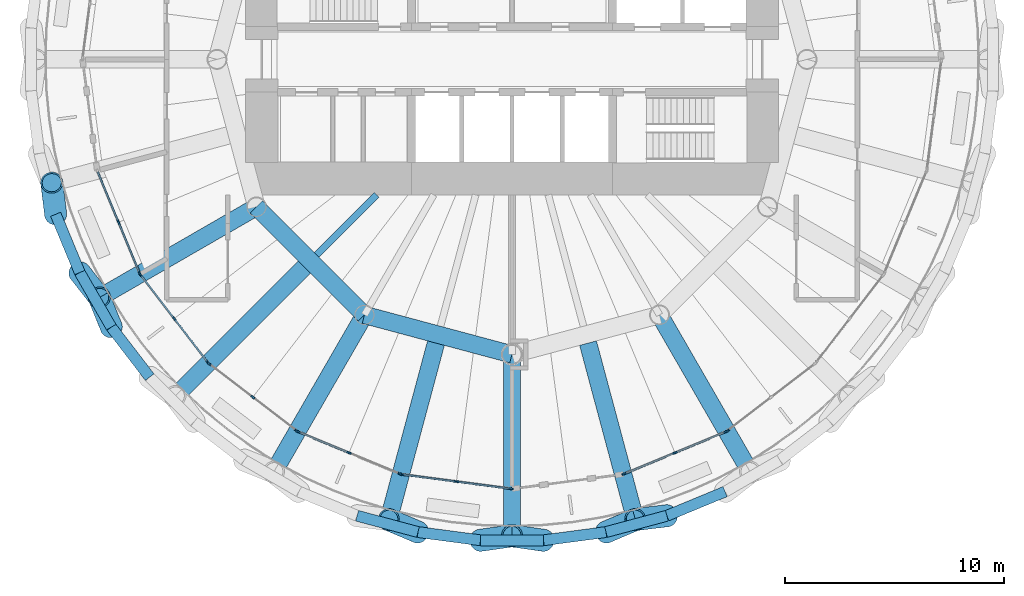
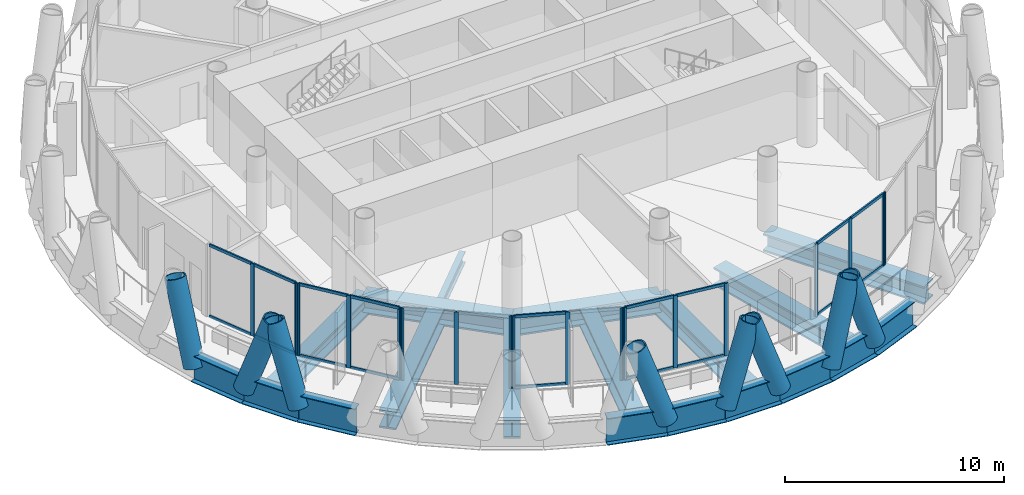
# One storey, part 2 of 15: 44 members, 19 beams, 7 elements without a shape of their own.
"""IFC4 building model written with IfcOpenShell, lengths in metres."""

from ifc_helpers import new_model, si_unit, direction, frame, origin, origin_2d, place, context, subcontext, project, spatial, rectangle, hollow_circle, i_section, extrude, material, material_profile, profile_set, type_object, element, aggregate, save


model = new_model("IFC4")

# Units and contexts
model_context = context("Model", 3, precision=1e-05, world=origin(), true_north=direction((0.0, 1.0)))
body_context = subcontext(model_context, "Body", "Model", "MODEL_VIEW")
ifc_project = project(units=[si_unit("LENGTHUNIT", "METRE"), si_unit("AREAUNIT", "SQUARE_METRE"), si_unit("VOLUMEUNIT", "CUBIC_METRE"), si_unit("PLANEANGLEUNIT", "RADIAN"), si_unit("MASSUNIT", "GRAM", prefix="KILO")], contexts=[model_context])

# Site, building, storey
site_placement = place(None, origin())
site = spatial("IfcSite", under=ifc_project, at=site_placement, CompositionType="ELEMENT")
building_placement = place(site_placement, origin())
building = spatial("IfcBuilding", under=site, at=building_placement, Name="Qaws Media Tower", CompositionType="ELEMENT")
storey_placement = place(building_placement, frame((0.0, 0.0, 257.0)))
storey = spatial("IfcBuildingStorey", under=building, at=storey_placement, Name="L59", CompositionType="ELEMENT", Elevation=257.0)

# Curtain wall, members
ifc_material_1 = material(Name="Aluminium and clear glass", Category="aluminium")
curtain_wall_type = type_object("IfcCurtainWallType", Name="Unitised curtain wall CW-C", PredefinedType="NOTDEFINED", material=ifc_material_1)
curtain_wall_1_placement = place(storey_placement, origin())
curtain_wall_1 = element("IfcCurtainWall", 1, at=curtain_wall_1_placement, inside=storey, type_object=curtain_wall_type, Name="CWC curtain wall L59-14", PredefinedType="NOTDEFINED")
ifc_material_2 = material(Name="Aluminium mullion", Category="aluminium")
ifc_material_profile_1 = material_profile(ifc_material_2, rectangle(XDim=0.080078125, YDim=0.199951171875, at=origin_2d()), Name="80x200")
ifc_profile_set_1 = profile_set([ifc_material_profile_1], Name="Aluminium mullion")
member_type_1 = type_object("IfcMemberType", Name="Curtain wall mullion 80x200", PredefinedType="MULLION", material=ifc_profile_set_1)
member_1_placement = place(storey_placement, frame((42.0009765625, 42.544677734375, 0.0), z_axis=(0.0, 0.0, 1.0), x_axis=(0.923879560089, 0.382683365786, 0.0)))
member_1 = element("IfcMember", 2, at=member_1_placement, type_object=member_type_1, Name="CWC mullion 2", PredefinedType="MULLION", context=body_context, shape_type="SweptSolid", body=[
    extrude(rectangle(XDim=0.080078125, YDim=0.199951171875, at=origin_2d()), origin(), (0.0, 0.0, 1.0), 4.0400390625),
])
member_2_placement = place(storey_placement, frame((42.96728515625, 40.2119140625, 0.0), z_axis=(0.0, 0.0, 1.0), x_axis=(0.923879560089, 0.382683365786, 0.0)))
member_2 = element("IfcMember", 3, at=member_2_placement, type_object=member_type_1, Name="CWC mullion 3", PredefinedType="MULLION", context=body_context, shape_type="SweptSolid", body=[
    extrude(rectangle(XDim=0.080078125, YDim=0.199951171875, at=origin_2d()), origin(), (0.0, 0.0, 1.0), 4.0400390625),
])

curtain_wall_2_placement = place(storey_placement, origin())
curtain_wall_2 = element("IfcCurtainWall", 4, at=curtain_wall_2_placement, inside=storey, type_object=curtain_wall_type, Name="CWC curtain wall L59-15", PredefinedType="NOTDEFINED")
member_3_placement = place(storey_placement, frame((43.0068359375, 40.143310546875, 0.0), z_axis=(0.0, 0.0, 1.0), x_axis=(0.793353316003, 0.608761460662, 0.0)))
member_3 = element("IfcMember", 5, at=member_3_placement, type_object=member_type_1, Name="CWC mullion 1", PredefinedType="MULLION", context=body_context, shape_type="SweptSolid", body=[
    extrude(rectangle(XDim=0.080078125, YDim=0.199951171875, at=origin_2d()), origin(), (0.0, 0.0, 1.0), 4.0400390625),
])
member_4_placement = place(storey_placement, frame((44.5439453125, 38.14013671875, 0.0), z_axis=(0.0, 0.0, 1.0), x_axis=(0.793353316003, 0.608761460662, 0.0)))
member_4 = element("IfcMember", 6, at=member_4_placement, type_object=member_type_1, Name="CWC mullion 2", PredefinedType="MULLION", context=body_context, shape_type="SweptSolid", body=[
    extrude(rectangle(XDim=0.080078125, YDim=0.199951171875, at=origin_2d()), origin(), (0.0, 0.0, 1.0), 4.0400390625),
])
member_5_placement = place(storey_placement, frame((46.0810546875, 36.13720703125, 0.0), z_axis=(0.0, 0.0, 1.0), x_axis=(0.793353316003, 0.608761460662, 0.0)))
member_5 = element("IfcMember", 7, at=member_5_placement, type_object=member_type_1, Name="CWC mullion 3", PredefinedType="MULLION", context=body_context, shape_type="SweptSolid", body=[
    extrude(rectangle(XDim=0.080078125, YDim=0.199951171875, at=origin_2d()), origin(), (0.0, 0.0, 1.0), 4.0400390625),
])

curtain_wall_3_placement = place(storey_placement, origin())
curtain_wall_3 = element("IfcCurtainWall", 8, at=curtain_wall_3_placement, inside=storey, type_object=curtain_wall_type, Name="CWC curtain wall L59-16", PredefinedType="NOTDEFINED")
member_6_placement = place(storey_placement, frame((46.13720703125, 36.0810546875, 0.0), z_axis=(0.0, 0.0, 1.0), x_axis=(0.608761460662, 0.793353316003, 0.0)))
member_6 = element("IfcMember", 9, at=member_6_placement, type_object=member_type_1, Name="CWC mullion 1", PredefinedType="MULLION", context=body_context, shape_type="SweptSolid", body=[
    extrude(rectangle(XDim=0.080078125, YDim=0.199951171875, at=origin_2d()), origin(), (0.0, 0.0, 1.0), 4.0400390625),
])
member_7_placement = place(storey_placement, frame((48.14013671875, 34.5439453125, 0.0), z_axis=(0.0, 0.0, 1.0), x_axis=(0.608761460662, 0.793353316003, 0.0)))
member_7 = element("IfcMember", 10, at=member_7_placement, type_object=member_type_1, Name="CWC mullion 2", PredefinedType="MULLION", context=body_context, shape_type="SweptSolid", body=[
    extrude(rectangle(XDim=0.080078125, YDim=0.199951171875, at=origin_2d()), origin(), (0.0, 0.0, 1.0), 4.0400390625),
])
member_8_placement = place(storey_placement, frame((50.143310546875, 33.0068359375, 0.0), z_axis=(0.0, 0.0, 1.0), x_axis=(0.608761460662, 0.793353316003, 0.0)))
member_8 = element("IfcMember", 11, at=member_8_placement, type_object=member_type_1, Name="CWC mullion 3", PredefinedType="MULLION", context=body_context, shape_type="SweptSolid", body=[
    extrude(rectangle(XDim=0.080078125, YDim=0.199951171875, at=origin_2d()), origin(), (0.0, 0.0, 1.0), 4.0400390625),
])
aggregate(curtain_wall_3, [member_6, member_7, member_8])

curtain_wall_4_placement = place(storey_placement, origin())
curtain_wall_4 = element("IfcCurtainWall", 12, at=curtain_wall_4_placement, inside=storey, type_object=curtain_wall_type, Name="CWC curtain wall L59-17", PredefinedType="NOTDEFINED")
member_9_placement = place(storey_placement, frame((50.2119140625, 32.96728515625, 0.0), z_axis=(0.0, 0.0, 1.0), x_axis=(0.382683365786, 0.923879560089, 0.0)))
member_9 = element("IfcMember", 13, at=member_9_placement, type_object=member_type_1, Name="CWC mullion 1", PredefinedType="MULLION", context=body_context, shape_type="SweptSolid", body=[
    extrude(rectangle(XDim=0.080078125, YDim=0.199951171875, at=origin_2d()), origin(), (0.0, 0.0, 1.0), 4.0400390625),
])
member_10_placement = place(storey_placement, frame((52.544677734375, 32.0009765625, 0.0), z_axis=(0.0, 0.0, 1.0), x_axis=(0.382683365786, 0.923879560089, 0.0)))
member_10 = element("IfcMember", 14, at=member_10_placement, type_object=member_type_1, Name="CWC mullion 2", PredefinedType="MULLION", context=body_context, shape_type="SweptSolid", body=[
    extrude(rectangle(XDim=0.080078125, YDim=0.199951171875, at=origin_2d()), origin(), (0.0, 0.0, 1.0), 4.0400390625),
])
member_11_placement = place(storey_placement, frame((54.877197265625, 31.034912109375, 0.0), z_axis=(0.0, 0.0, 1.0), x_axis=(0.382683365786, 0.923879560089, 0.0)))
member_11 = element("IfcMember", 15, at=member_11_placement, type_object=member_type_1, Name="CWC mullion 3", PredefinedType="MULLION", context=body_context, shape_type="SweptSolid", body=[
    extrude(rectangle(XDim=0.080078125, YDim=0.199951171875, at=origin_2d()), origin(), (0.0, 0.0, 1.0), 4.0400390625),
])

curtain_wall_5_placement = place(storey_placement, origin())
curtain_wall_5 = element("IfcCurtainWall", 16, at=curtain_wall_5_placement, inside=storey, type_object=curtain_wall_type, Name="CWC curtain wall L59-18", PredefinedType="NOTDEFINED")
member_12_placement = place(storey_placement, frame((54.953857421875, 31.014404296875, 0.0), z_axis=(0.0, 0.0, 1.0), x_axis=(0.130526291424, 0.991444848313, 0.0)))
member_12 = element("IfcMember", 17, at=member_12_placement, type_object=member_type_1, Name="CWC mullion 1", PredefinedType="MULLION", context=body_context, shape_type="SweptSolid", body=[
    extrude(rectangle(XDim=0.080078125, YDim=0.199951171875, at=origin_2d()), origin(), (0.0, 0.0, 1.0), 4.0400390625),
])
member_13_placement = place(storey_placement, frame((57.45703125, 30.684814453125, 0.0), z_axis=(0.0, 0.0, 1.0), x_axis=(0.130526291424, 0.991444848313, 0.0)))
member_13 = element("IfcMember", 18, at=member_13_placement, type_object=member_type_1, Name="CWC mullion 2", PredefinedType="MULLION", context=body_context, shape_type="SweptSolid", body=[
    extrude(rectangle(XDim=0.080078125, YDim=0.199951171875, at=origin_2d()), origin(), (0.0, 0.0, 1.0), 4.0400390625),
])
member_14_placement = place(storey_placement, frame((59.96044921875, 30.355224609375, 0.0), z_axis=(0.0, 0.0, 1.0), x_axis=(0.130526291424, 0.991444848313, 0.0)))
member_14 = element("IfcMember", 19, at=member_14_placement, type_object=member_type_1, Name="CWC mullion 3", PredefinedType="MULLION", context=body_context, shape_type="SweptSolid", body=[
    extrude(rectangle(XDim=0.080078125, YDim=0.199951171875, at=origin_2d()), origin(), (0.0, 0.0, 1.0), 4.0400390625),
])

curtain_wall_6_placement = place(storey_placement, origin())
curtain_wall_6 = element("IfcCurtainWall", 20, at=curtain_wall_6_placement, inside=storey, type_object=curtain_wall_type, Name="CWC curtain wall L59-20", PredefinedType="NOTDEFINED")
member_15_placement = place(storey_placement, frame((65.122802734375, 31.034912109375, 0.0), z_axis=(0.0, 0.0, 1.0), x_axis=(-0.382683365786, 0.923879560089, 0.0)))
member_15 = element("IfcMember", 21, at=member_15_placement, type_object=member_type_1, Name="CWC mullion 1", PredefinedType="MULLION", context=body_context, shape_type="SweptSolid", body=[
    extrude(rectangle(XDim=0.080078125, YDim=0.199951171875, at=origin_2d()), origin(), (0.0, 0.0, 1.0), 4.0400390625),
])
member_16_placement = place(storey_placement, frame((67.455322265625, 32.0009765625, 0.0), z_axis=(0.0, 0.0, 1.0), x_axis=(-0.382683365786, 0.923879560089, 0.0)))
member_16 = element("IfcMember", 22, at=member_16_placement, type_object=member_type_1, Name="CWC mullion 2", PredefinedType="MULLION", context=body_context, shape_type="SweptSolid", body=[
    extrude(rectangle(XDim=0.080078125, YDim=0.199951171875, at=origin_2d()), origin(), (0.0, 0.0, 1.0), 4.0400390625),
])
member_17_placement = place(storey_placement, frame((69.7880859375, 32.96728515625, 0.0), z_axis=(0.0, 0.0, 1.0), x_axis=(-0.382683365786, 0.923879560089, 0.0)))
member_17 = element("IfcMember", 23, at=member_17_placement, type_object=member_type_1, Name="CWC mullion 3", PredefinedType="MULLION", context=body_context, shape_type="SweptSolid", body=[
    extrude(rectangle(XDim=0.080078125, YDim=0.199951171875, at=origin_2d()), origin(), (0.0, 0.0, 1.0), 4.0400390625),
])

# Curtain wall, member
curtain_wall_7_placement = place(storey_placement, origin())
curtain_wall_7 = element("IfcCurtainWall", 24, at=curtain_wall_7_placement, inside=storey, type_object=curtain_wall_type, Name="CWC curtain wall L59-21", PredefinedType="NOTDEFINED")
member_18_placement = place(storey_placement, frame((69.856689453125, 33.0068359375, 0.0), z_axis=(0.0, 0.0, 1.0), x_axis=(-0.608761460662, 0.793353316003, 0.0)))
member_18 = element("IfcMember", 25, at=member_18_placement, type_object=member_type_1, Name="CWC mullion 1", PredefinedType="MULLION", context=body_context, shape_type="SweptSolid", body=[
    extrude(rectangle(XDim=0.080078125, YDim=0.199951171875, at=origin_2d()), origin(), (0.0, 0.0, 1.0), 4.0400390625),
])
aggregate(curtain_wall_7, [member_18])

# Member
ifc_material_3 = material(Name="Aluminium transom", Category="aluminium")
ifc_material_profile_2 = material_profile(ifc_material_3, rectangle(XDim=0.080078125, YDim=0.159912109375, at=origin_2d()), Name="80x160")
ifc_profile_set_2 = profile_set([ifc_material_profile_2], Name="Aluminium transom")
member_type_2 = type_object("IfcMemberType", Name="Curtain wall transom 80x160", PredefinedType="USERDEFINED", material=ifc_profile_set_2)
member_19_placement = place(storey_placement, frame((41.05029296875, 44.84033203125, 0.0400390625), z_axis=(0.382657531231, -0.923890260687, 0.0), x_axis=(0.923890260687, 0.382657531231, 0.0)))
member_19 = element("IfcMember", 26, at=member_19_placement, type_object=member_type_2, Name="CWC transom 1.1", ObjectType="TRANSOM", PredefinedType="USERDEFINED", context=body_context, shape_type="SweptSolid", body=[
    extrude(rectangle(XDim=0.080078125, YDim=0.159912109375, at=origin_2d()), origin(), (0.0, 0.0, 1.0), 2.44482421875),
])

member_20_placement = place(storey_placement, frame((41.05029296875, 44.84033203125, 4.0), z_axis=(0.382657531231, -0.923890260687, 0.0), x_axis=(0.923890260687, 0.382657531231, 0.0)))
member_20 = element("IfcMember", 27, at=member_20_placement, type_object=member_type_2, Name="CWC transom 1.2", ObjectType="TRANSOM", PredefinedType="USERDEFINED", context=body_context, shape_type="SweptSolid", body=[
    extrude(rectangle(XDim=0.080078125, YDim=0.159912109375, at=origin_2d()), origin(), (0.0, 0.0, 1.0), 2.44482421875),
])

member_21_placement = place(storey_placement, frame((42.016357421875, 42.507568359375, 0.0400390625), z_axis=(0.382692837519, -0.923875636713, 0.0), x_axis=(0.923875636713, 0.382692837519, 0.0)))
member_21 = element("IfcMember", 28, at=member_21_placement, type_object=member_type_2, Name="CWC transom 2.1", ObjectType="TRANSOM", PredefinedType="USERDEFINED", context=body_context, shape_type="SweptSolid", body=[
    extrude(rectangle(XDim=0.080078125, YDim=0.159912109375, at=origin_2d()), origin(), (0.0, 0.0, 1.0), 2.444580078125),
])

member_22_placement = place(storey_placement, frame((42.016357421875, 42.507568359375, 4.0), z_axis=(0.382692837519, -0.923875636713, 0.0), x_axis=(0.923875636713, 0.382692837519, 0.0)))
member_22 = element("IfcMember", 29, at=member_22_placement, type_object=member_type_2, Name="CWC transom 2.2", ObjectType="TRANSOM", PredefinedType="USERDEFINED", context=body_context, shape_type="SweptSolid", body=[
    extrude(rectangle(XDim=0.080078125, YDim=0.159912109375, at=origin_2d()), origin(), (0.0, 0.0, 1.0), 2.444580078125),
])

aggregate(curtain_wall_1, [member_1, member_2, member_19, member_20, member_21, member_22])

member_23_placement = place(storey_placement, frame((43.03125, 40.111572265625, 0.0400390625), z_axis=(0.608735475995, -0.793373254065, 0.0), x_axis=(0.793373254065, 0.608735475995, 0.0)))
member_23 = element("IfcMember", 30, at=member_23_placement, type_object=member_type_2, Name="CWC transom 1.1", ObjectType="TRANSOM", PredefinedType="USERDEFINED", context=body_context, shape_type="SweptSolid", body=[
    extrude(rectangle(XDim=0.080078125, YDim=0.159912109375, at=origin_2d()), origin(), (0.0, 0.0, 1.0), 2.44482421875),
])

member_24_placement = place(storey_placement, frame((43.03125, 40.111572265625, 4.0), z_axis=(0.608735475995, -0.793373254065, 0.0), x_axis=(0.793373254065, 0.608735475995, 0.0)))
member_24 = element("IfcMember", 31, at=member_24_placement, type_object=member_type_2, Name="CWC transom 1.2", ObjectType="TRANSOM", PredefinedType="USERDEFINED", context=body_context, shape_type="SweptSolid", body=[
    extrude(rectangle(XDim=0.080078125, YDim=0.159912109375, at=origin_2d()), origin(), (0.0, 0.0, 1.0), 2.44482421875),
])

member_25_placement = place(storey_placement, frame((44.568359375, 38.1083984375, 0.0400390625), z_axis=(0.608735475995, -0.793373254065, 0.0), x_axis=(0.793373254065, 0.608735475995, 0.0)))
member_25 = element("IfcMember", 32, at=member_25_placement, type_object=member_type_2, Name="CWC transom 2.1", ObjectType="TRANSOM", PredefinedType="USERDEFINED", context=body_context, shape_type="SweptSolid", body=[
    extrude(rectangle(XDim=0.080078125, YDim=0.159912109375, at=origin_2d()), origin(), (0.0, 0.0, 1.0), 2.44482421875),
])

member_26_placement = place(storey_placement, frame((44.568359375, 38.1083984375, 4.0), z_axis=(0.608735475995, -0.793373254065, 0.0), x_axis=(0.793373254065, 0.608735475995, 0.0)))
member_26 = element("IfcMember", 33, at=member_26_placement, type_object=member_type_2, Name="CWC transom 2.2", ObjectType="TRANSOM", PredefinedType="USERDEFINED", context=body_context, shape_type="SweptSolid", body=[
    extrude(rectangle(XDim=0.080078125, YDim=0.159912109375, at=origin_2d()), origin(), (0.0, 0.0, 1.0), 2.44482421875),
])

aggregate(curtain_wall_2, [member_3, member_4, member_5, member_23, member_24, member_25, member_26])

member_27_placement = place(storey_placement, frame((50.2490234375, 32.951904296875, 0.0400390625), z_axis=(0.923875636713, -0.382692837519, 0.0), x_axis=(0.382692837519, 0.923875636713, 0.0)))
member_27 = element("IfcMember", 34, at=member_27_placement, type_object=member_type_2, Name="CWC transom 1.1", ObjectType="TRANSOM", PredefinedType="USERDEFINED", context=body_context, shape_type="SweptSolid", body=[
    extrude(rectangle(XDim=0.080078125, YDim=0.159912109375, at=origin_2d()), origin(), (0.0, 0.0, 1.0), 2.444580078125),
])

member_28_placement = place(storey_placement, frame((50.2490234375, 32.951904296875, 4.0), z_axis=(0.923875636713, -0.382692837519, 0.0), x_axis=(0.382692837519, 0.923875636713, 0.0)))
member_28 = element("IfcMember", 35, at=member_28_placement, type_object=member_type_2, Name="CWC transom 1.2", ObjectType="TRANSOM", PredefinedType="USERDEFINED", context=body_context, shape_type="SweptSolid", body=[
    extrude(rectangle(XDim=0.080078125, YDim=0.159912109375, at=origin_2d()), origin(), (0.0, 0.0, 1.0), 2.444580078125),
])

aggregate(curtain_wall_4, [member_9, member_10, member_11, member_27, member_28])

member_29_placement = place(storey_placement, frame((54.993408203125, 31.009033203125, 0.0400390625), z_axis=(0.991447156798, -0.130508755558, 0.0), x_axis=(0.130508755558, 0.991447156798, 0.0)))
member_29 = element("IfcMember", 36, at=member_29_placement, type_object=member_type_2, Name="CWC transom 1.1", ObjectType="TRANSOM", PredefinedType="USERDEFINED", context=body_context, shape_type="SweptSolid", body=[
    extrude(rectangle(XDim=0.080078125, YDim=0.159912109375, at=origin_2d()), origin(), (0.0, 0.0, 1.0), 2.445068359375),
])

member_30_placement = place(storey_placement, frame((54.993408203125, 31.009033203125, 4.0), z_axis=(0.991447156798, -0.130508755558, 0.0), x_axis=(0.130508755558, 0.991447156798, 0.0)))
member_30 = element("IfcMember", 37, at=member_30_placement, type_object=member_type_2, Name="CWC transom 1.2", ObjectType="TRANSOM", PredefinedType="USERDEFINED", context=body_context, shape_type="SweptSolid", body=[
    extrude(rectangle(XDim=0.080078125, YDim=0.159912109375, at=origin_2d()), origin(), (0.0, 0.0, 1.0), 2.445068359375),
])

member_31_placement = place(storey_placement, frame((57.496826171875, 30.679443359375, 0.0400390625), z_axis=(0.991445455784, -0.130521677146, 0.0), x_axis=(0.130521677146, 0.991445455784, 0.0)))
member_31 = element("IfcMember", 38, at=member_31_placement, type_object=member_type_2, Name="CWC transom 2.1", ObjectType="TRANSOM", PredefinedType="USERDEFINED", context=body_context, shape_type="SweptSolid", body=[
    extrude(rectangle(XDim=0.080078125, YDim=0.159912109375, at=origin_2d()), origin(), (0.0, 0.0, 1.0), 2.44482421875),
])

member_32_placement = place(storey_placement, frame((57.496826171875, 30.679443359375, 4.0), z_axis=(0.991445455784, -0.130521677146, 0.0), x_axis=(0.130521677146, 0.991445455784, 0.0)))
member_32 = element("IfcMember", 39, at=member_32_placement, type_object=member_type_2, Name="CWC transom 2.2", ObjectType="TRANSOM", PredefinedType="USERDEFINED", context=body_context, shape_type="SweptSolid", body=[
    extrude(rectangle(XDim=0.080078125, YDim=0.159912109375, at=origin_2d()), origin(), (0.0, 0.0, 1.0), 2.44482421875),
])

aggregate(curtain_wall_5, [member_12, member_13, member_14, member_29, member_30, member_31, member_32])

member_33_placement = place(storey_placement, frame((65.15966796875, 31.05029296875, 0.0400390625), z_axis=(0.923890260687, 0.382657531231, 0.0), x_axis=(-0.382657531231, 0.923890260687, 0.0)))
member_33 = element("IfcMember", 40, at=member_33_placement, type_object=member_type_2, Name="CWC transom 1.1", ObjectType="TRANSOM", PredefinedType="USERDEFINED", context=body_context, shape_type="SweptSolid", body=[
    extrude(rectangle(XDim=0.080078125, YDim=0.159912109375, at=origin_2d()), origin(), (0.0, 0.0, 1.0), 2.44482421875),
])

member_34_placement = place(storey_placement, frame((65.15966796875, 31.05029296875, 4.0), z_axis=(0.923890260687, 0.382657531231, 0.0), x_axis=(-0.382657531231, 0.923890260687, 0.0)))
member_34 = element("IfcMember", 41, at=member_34_placement, type_object=member_type_2, Name="CWC transom 1.2", ObjectType="TRANSOM", PredefinedType="USERDEFINED", context=body_context, shape_type="SweptSolid", body=[
    extrude(rectangle(XDim=0.080078125, YDim=0.159912109375, at=origin_2d()), origin(), (0.0, 0.0, 1.0), 2.44482421875),
])

member_35_placement = place(storey_placement, frame((67.492431640625, 32.016357421875, 0.0400390625), z_axis=(0.923875636713, 0.382692837519, 0.0), x_axis=(-0.382692837519, 0.923875636713, 0.0)))
member_35 = element("IfcMember", 42, at=member_35_placement, type_object=member_type_2, Name="CWC transom 2.1", ObjectType="TRANSOM", PredefinedType="USERDEFINED", context=body_context, shape_type="SweptSolid", body=[
    extrude(rectangle(XDim=0.080078125, YDim=0.159912109375, at=origin_2d()), origin(), (0.0, 0.0, 1.0), 2.444580078125),
])

member_36_placement = place(storey_placement, frame((67.492431640625, 32.016357421875, 4.0), z_axis=(0.923875636713, 0.382692837519, 0.0), x_axis=(-0.382692837519, 0.923875636713, 0.0)))
member_36 = element("IfcMember", 43, at=member_36_placement, type_object=member_type_2, Name="CWC transom 2.2", ObjectType="TRANSOM", PredefinedType="USERDEFINED", context=body_context, shape_type="SweptSolid", body=[
    extrude(rectangle(XDim=0.080078125, YDim=0.159912109375, at=origin_2d()), origin(), (0.0, 0.0, 1.0), 2.444580078125),
])

aggregate(curtain_wall_6, [member_15, member_16, member_17, member_33, member_34, member_35, member_36])

# Members
ifc_material_4 = material(Name="Steel S460", Category="steel")
ifc_material_profile_3 = material_profile(ifc_material_4, hollow_circle(Radius=0.508056640625, WallThickness=0.070068359375, at=origin_2d()), Name="CHS 1016x70")
ifc_profile_set_3 = profile_set([ifc_material_profile_3], Name="Steel S460")
member_type_3 = type_object("IfcMemberType", Name="Diagrid member CHS 1016x70", PredefinedType="USERDEFINED", material=ifc_profile_set_3)
for number, where, z_axis, x_axis, name in (
    (44, (40.223876953125, 40.24755859375, -0.909912109375), (0.201726684685, -0.25813106943, 0.94481463562), (0.787932866682, 0.615761153047, 0.0), "DG3 diagrid L59 A14"),
    (45, (39.1201171875, 42.912353515625, -0.909912109375), (-0.039873460202, 0.325138959222, 0.944825255996), (-0.992564081167, -0.121723230224, 0.0), "DG3 diagrid L59 B14"),
    (46, (41.666015625, 37.749755859375, -0.909912109375), (-0.122694309374, 0.30377002021, 0.944812087808), (-0.927222806383, -0.374510169853, 0.0), "DG3 diagrid L59 B15"),
    (47, (58.557861328125, 27.997314453125, -0.909912109375), (0.324421021562, 0.045584805806, 0.944813752148), (-0.139144379056, 0.990272104917, 0.0), "DG3 diagrid L59 A18"),
    (48, (55.6982421875, 28.373779296875, -0.909912109375), (-0.301572290432, 0.128021309233, 0.944809344802), (-0.39076078469, -0.920492264578, 0.0), "DG3 diagrid L59 B18"),
    (49, (64.3017578125, 28.373779296875, -0.909912109375), (0.301572290432, 0.128021309233, 0.944809344802), (-0.39076078469, 0.920492264578, 0.0), "DG3 diagrid L59 A19"),
    (50, (61.442138671875, 27.997314453125, -0.909912109375), (-0.324421021562, 0.045584805806, 0.944813752148), (-0.139144379056, -0.990272104917, 0.0), "DG3 diagrid L59 B19"),
    (51, (67.087646484375, 29.1201171875, -0.909912109375), (-0.325138959222, -0.039873460202, 0.944825255996), (0.121723230224, -0.992564081167, 0.0), "DG3 diagrid L59 B20"),
):
    element("IfcMember", number, at=place(storey_placement, frame(where, z_axis=z_axis, x_axis=x_axis)), inside=storey, type_object=member_type_3, Name=name, ObjectType="DIAGRID", PredefinedType="USERDEFINED", context=body_context, shape_type="SweptSolid", body=[
        extrude(hollow_circle(Radius=0.508056640625, WallThickness=0.070068359375, at=origin_2d()), origin(), (0.0, 0.0, 1.0), 4.4453125),
    ])

# Beams
ifc_material_5 = material(Name="Steel S460", Category="steel")
ifc_material_profile_4 = material_profile(ifc_material_5, i_section(OverallWidth=0.5, OverallDepth=1.5, WebThickness=0.02001953125, FlangeThickness=0.0400390625, at=origin_2d()), Name="PG 1500x500")
ifc_profile_set_4 = profile_set([ifc_material_profile_4], Name="Steel S460")
beam_type_1 = type_object("IfcBeamType", Name="Edge ring beam PG 1500x500", PredefinedType="BEAM", material=ifc_profile_set_4)
for number, where, z_axis, x_axis, name in (
    (52, (39.1201171875, 42.912353515625, -0.909912109375), (0.382673243004, -0.923883753017, 0.0), (0.923883753017, 0.382673243004, 0.0), "RB4 edge ring beam L59-27"),
    (53, (40.223876953125, 40.24755859375, -0.909912109375), (0.500008214683, -0.866020660983, 0.0), (0.866020660983, 0.500008214683, 0.0), "RB4 edge ring beam L59-28"),
    (54, (41.666015625, 37.749755859375, -0.909912109375), (0.608753125597, -0.793359711654, 0.0), (0.793359711654, 0.608753125597, 0.0), "RB4 edge ring beam L59-29"),
):
    element("IfcBeam", number, at=place(storey_placement, frame(where, z_axis=z_axis, x_axis=x_axis)), inside=storey, type_object=beam_type_1, Name=name, PredefinedType="BEAM", context=body_context, shape_type="SweptSolid", body=[
        extrude(i_section(OverallWidth=0.5, OverallDepth=1.5, WebThickness=0.02001953125, FlangeThickness=0.0400390625, at=origin_2d()), origin(), (0.0, 0.0, 1.0), 2.88427734375),
    ])
beam_1_placement = place(storey_placement, frame((52.912353515625, 29.1201171875, -0.909912109375), z_axis=(0.965937850475, -0.258774166059, 0.0), x_axis=(0.258774166059, 0.965937850475, 0.0)))
element("IfcBeam", 55, at=beam_1_placement, inside=storey, type_object=beam_type_1, Name="RB4 edge ring beam L59-34", PredefinedType="BEAM", context=body_context, shape_type="SweptSolid", body=[
    extrude(i_section(OverallWidth=0.5, OverallDepth=1.5, WebThickness=0.02001953125, FlangeThickness=0.0400390625, at=origin_2d()), origin(), (0.0, 0.0, 1.0), 2.884033203125),
])
for number, where, z_axis, x_axis, name in (
    (56, (55.6982421875, 28.373779296875, -0.909912109375), (0.991445362004, -0.1305223895, 0.0), (0.1305223895, 0.991445362004, 0.0), "RB4 edge ring beam L59-35"),
    (57, (58.557861328125, 27.997314453125, -0.909912109375), (1.0, 0.0, 0.0), (0.0, 1.0, 0.0), "RB4 edge ring beam L59-36"),
    (58, (61.442138671875, 27.997314453125, -0.909912109375), (0.991445362004, 0.1305223895, 0.0), (-0.1305223895, 0.991445362004, 0.0), "RB4 edge ring beam L59-37"),
):
    element("IfcBeam", number, at=place(storey_placement, frame(where, z_axis=z_axis, x_axis=x_axis)), inside=storey, type_object=beam_type_1, Name=name, PredefinedType="BEAM", context=body_context, shape_type="SweptSolid", body=[
        extrude(i_section(OverallWidth=0.5, OverallDepth=1.5, WebThickness=0.02001953125, FlangeThickness=0.0400390625, at=origin_2d()), origin(), (0.0, 0.0, 1.0), 2.88427734375),
    ])
beam_2_placement = place(storey_placement, frame((64.3017578125, 28.373779296875, -0.909912109375), z_axis=(0.965937850475, 0.258774166059, 0.0), x_axis=(-0.258774166059, 0.965937850475, 0.0)))
element("IfcBeam", 59, at=beam_2_placement, inside=storey, type_object=beam_type_1, Name="RB4 edge ring beam L59-38", PredefinedType="BEAM", context=body_context, shape_type="SweptSolid", body=[
    extrude(i_section(OverallWidth=0.5, OverallDepth=1.5, WebThickness=0.02001953125, FlangeThickness=0.0400390625, at=origin_2d()), origin(), (0.0, 0.0, 1.0), 2.884033203125),
])
beam_3_placement = place(storey_placement, frame((67.087646484375, 29.1201171875, -0.909912109375), z_axis=(0.923883753017, 0.382673243004, 0.0), x_axis=(-0.382673243004, 0.923883753017, 0.0)))
element("IfcBeam", 60, at=beam_3_placement, inside=storey, type_object=beam_type_1, Name="RB4 edge ring beam L59-39", PredefinedType="BEAM", context=body_context, shape_type="SweptSolid", body=[
    extrude(i_section(OverallWidth=0.5, OverallDepth=1.5, WebThickness=0.02001953125, FlangeThickness=0.0400390625, at=origin_2d()), origin(), (0.0, 0.0, 1.0), 2.88427734375),
])
ifc_material_6 = material(Name="Steel S460", Category="steel")
ifc_material_profile_5 = material_profile(ifc_material_6, i_section(OverallWidth=0.800048828125, OverallDepth=1.0, WebThickness=0.0400390625, FlangeThickness=0.10009765625, at=origin_2d()), Name="PG 1000x800")
ifc_profile_set_5 = profile_set([ifc_material_profile_5], Name="Steel S460")
beam_type_2 = type_object("IfcBeamType", Name="Inner ring girder PG 1000x800", PredefinedType="BEAM", material=ifc_profile_set_5)
beam_4_placement = place(storey_placement, frame((48.30859375, 43.25, -0.659912109375), z_axis=(0.707106781187, -0.707106781187, 0.0), x_axis=(0.707106781187, 0.707106781187, 0.0)))
element("IfcBeam", 61, at=beam_4_placement, inside=storey, type_object=beam_type_2, Name="B3 inner ring beam L59 I08-I09", PredefinedType="BEAM", context=body_context, shape_type="SweptSolid", body=[
    extrude(i_section(OverallWidth=0.800048828125, OverallDepth=1.0, WebThickness=0.0400390625, FlangeThickness=0.10009765625, at=origin_2d()), origin(), (0.0, 0.0, 1.0), 6.98828125),
])
beam_5_placement = place(storey_placement, frame((53.25, 38.30859375, -0.659912109375), z_axis=(0.965928090778, -0.258810593767, 0.0), x_axis=(0.258810593767, 0.965928090778, 0.0)))
element("IfcBeam", 62, at=beam_5_placement, inside=storey, type_object=beam_type_2, Name="B3 inner ring beam L59 I09-I10", PredefinedType="BEAM", context=body_context, shape_type="SweptSolid", body=[
    extrude(i_section(OverallWidth=0.800048828125, OverallDepth=1.0, WebThickness=0.0400390625, FlangeThickness=0.10009765625, at=origin_2d()), origin(), (0.0, 0.0, 1.0), 6.988037109375),
])
ifc_material_7 = material(Name="Steel S355", Category="steel")
ifc_material_profile_6 = material_profile(ifc_material_7, i_section(OverallWidth=0.304931640625, OverallDepth=0.6201171875, WebThickness=0.02099609375, FlangeThickness=0.0400390625, FilletRadius=0.027099609375, at=origin_2d()), Name="HE 600 M")
ifc_profile_set_6 = profile_set([ifc_material_profile_6], Name="Steel S355")
beam_type_3 = type_object("IfcBeamType", Name="Radial beam HE 600 M, core side", PredefinedType="BEAM", material=ifc_profile_set_6)
beam_6_placement = place(storey_placement, frame((53.800048828125, 43.800048828125, -0.469970703125), z_axis=(-0.707106781187, -0.707106781187, 0.0), x_axis=(0.707106781187, -0.707106781187, 0.0)))
element("IfcBeam", 63, at=beam_6_placement, inside=storey, type_object=beam_type_3, Name="B2 radial beam L59 16", PredefinedType="BEAM", context=body_context, shape_type="SweptSolid", body=[
    extrude(i_section(OverallWidth=0.304931640625, OverallDepth=0.6201171875, WebThickness=0.02099609375, FlangeThickness=0.0400390625, FilletRadius=0.027099609375, at=origin_2d()), origin(), (0.0, 0.0, 1.0), 3.871826171875),
])
ifc_material_8 = material(Name="Steel S460", Category="steel")
ifc_material_profile_7 = material_profile(ifc_material_8, i_section(OverallWidth=0.800048828125, OverallDepth=1.0, WebThickness=0.0400390625, FlangeThickness=0.10009765625, at=origin_2d()), Name="PG 1000x800")
ifc_profile_set_7 = profile_set([ifc_material_profile_7], Name="Steel S460")
beam_type_4 = type_object("IfcBeamType", Name="Radial girder PG 1000x800", PredefinedType="BEAM", material=ifc_profile_set_7)
beam_7_placement = place(storey_placement, frame((48.30859375, 43.25, -0.659912109375), z_axis=(-0.866018708055, -0.500011597164, 0.0), x_axis=(0.500011597164, -0.866018708055, 0.0)))
element("IfcBeam", 64, at=beam_7_placement, inside=storey, type_object=beam_type_4, Name="B1 radial beam L59 15", PredefinedType="BEAM", context=body_context, shape_type="SweptSolid", body=[
    extrude(i_section(OverallWidth=0.800048828125, OverallDepth=1.0, WebThickness=0.0400390625, FlangeThickness=0.10009765625, at=origin_2d()), origin(), (0.0, 0.0, 1.0), 8.502685546875),
])
beam_8_placement = place(storey_placement, frame((50.49658203125, 40.49658203125, -0.659912109375), z_axis=(-0.707106781187, -0.707106781187, 0.0), x_axis=(0.707106781187, -0.707106781187, 0.0)))
element("IfcBeam", 65, at=beam_8_placement, inside=storey, type_object=beam_type_4, Name="B1 radial beam L59 16", PredefinedType="BEAM", context=body_context, shape_type="SweptSolid", body=[
    extrude(i_section(OverallWidth=0.800048828125, OverallDepth=1.0, WebThickness=0.0400390625, FlangeThickness=0.10009765625, at=origin_2d()), origin(), (0.0, 0.0, 1.0), 8.56298828125),
])
beam_9_placement = place(storey_placement, frame((53.25, 38.30859375, -0.659912109375), z_axis=(-0.500011597164, -0.866018708055, 0.0), x_axis=(0.866018708055, -0.500011597164, 0.0)))
element("IfcBeam", 66, at=beam_9_placement, inside=storey, type_object=beam_type_4, Name="B1 radial beam L59 17", PredefinedType="BEAM", context=body_context, shape_type="SweptSolid", body=[
    extrude(i_section(OverallWidth=0.800048828125, OverallDepth=1.0, WebThickness=0.0400390625, FlangeThickness=0.10009765625, at=origin_2d()), origin(), (0.0, 0.0, 1.0), 8.502685546875),
])
beam_10_placement = place(storey_placement, frame((56.521484375, 37.01806640625, -0.659912109375), z_axis=(-0.258823016907, -0.965924762039, 0.0), x_axis=(0.965924762039, -0.258823016907, 0.0)))
element("IfcBeam", 67, at=beam_10_placement, inside=storey, type_object=beam_type_4, Name="B1 radial beam L59 18", PredefinedType="BEAM", context=body_context, shape_type="SweptSolid", body=[
    extrude(i_section(OverallWidth=0.800048828125, OverallDepth=1.0, WebThickness=0.0400390625, FlangeThickness=0.10009765625, at=origin_2d()), origin(), (0.0, 0.0, 1.0), 8.56298828125),
])
beam_11_placement = place(storey_placement, frame((60.0, 36.5, -0.659912109375), z_axis=(0.0, -1.0, 0.0), x_axis=(1.0, 0.0, 0.0)))
element("IfcBeam", 68, at=beam_11_placement, inside=storey, type_object=beam_type_4, Name="B1 radial beam L59 19", PredefinedType="BEAM", context=body_context, shape_type="SweptSolid", body=[
    extrude(i_section(OverallWidth=0.800048828125, OverallDepth=1.0, WebThickness=0.0400390625, FlangeThickness=0.10009765625, at=origin_2d()), origin(), (0.0, 0.0, 1.0), 8.502685546875),
])
beam_12_placement = place(storey_placement, frame((63.478515625, 37.01806640625, -0.659912109375), z_axis=(0.258823016907, -0.965924762039, 0.0), x_axis=(0.965924762039, 0.258823016907, 0.0)))
element("IfcBeam", 69, at=beam_12_placement, inside=storey, type_object=beam_type_4, Name="B1 radial beam L59 20", PredefinedType="BEAM", context=body_context, shape_type="SweptSolid", body=[
    extrude(i_section(OverallWidth=0.800048828125, OverallDepth=1.0, WebThickness=0.0400390625, FlangeThickness=0.10009765625, at=origin_2d()), origin(), (0.0, 0.0, 1.0), 8.56298828125),
])
beam_13_placement = place(storey_placement, frame((66.75, 38.30859375, -0.659912109375), z_axis=(0.500011597164, -0.866018708055, 0.0), x_axis=(0.866018708055, 0.500011597164, 0.0)))
element("IfcBeam", 70, at=beam_13_placement, inside=storey, type_object=beam_type_4, Name="B1 radial beam L59 21", PredefinedType="BEAM", context=body_context, shape_type="SweptSolid", body=[
    extrude(i_section(OverallWidth=0.800048828125, OverallDepth=1.0, WebThickness=0.0400390625, FlangeThickness=0.10009765625, at=origin_2d()), origin(), (0.0, 0.0, 1.0), 8.502685546875),
])

save(model, "model.ifc")
